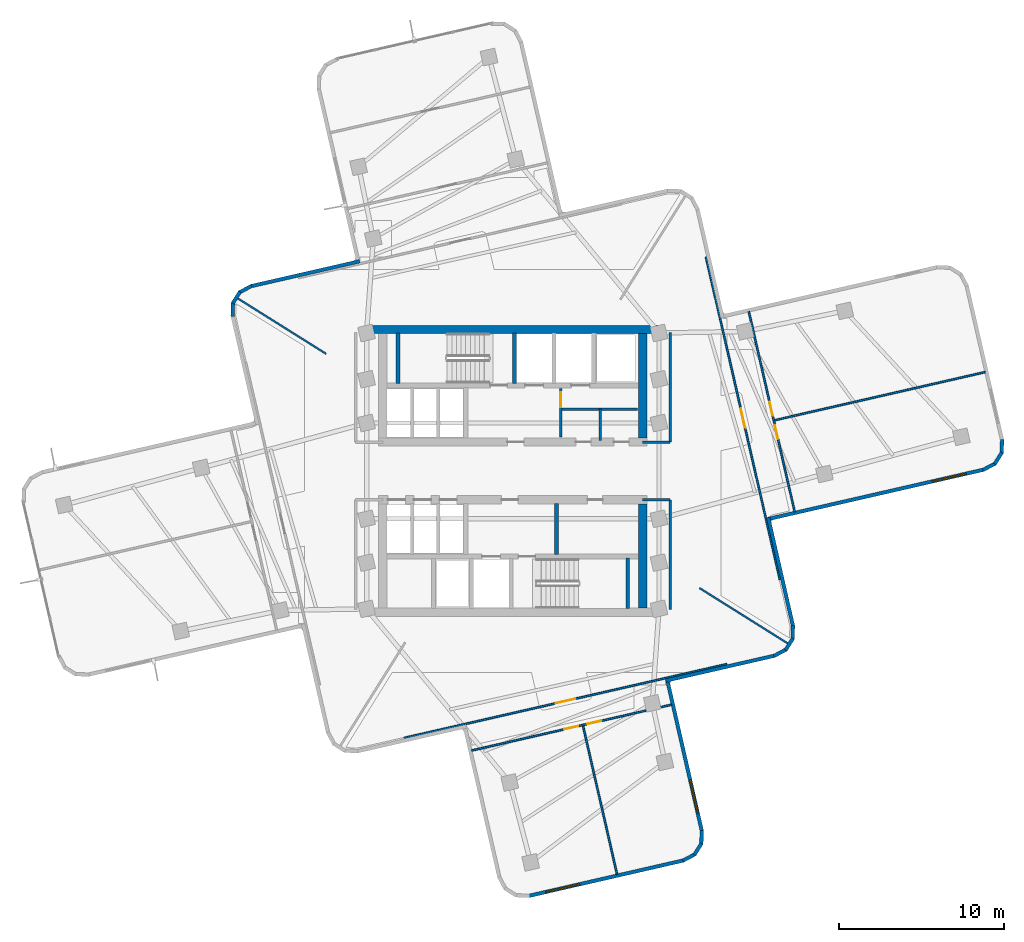
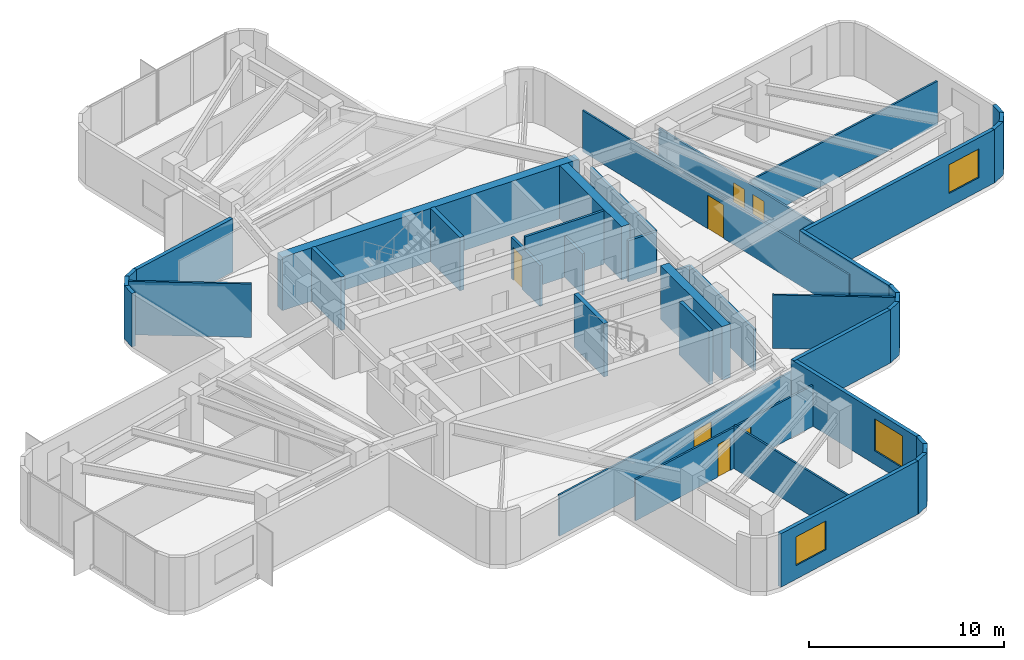
# One storey, part 7 of 11: 40 walls, 7 doors, 3 windows, 10 openings.
"""IFC4 building model written with IfcOpenShell, lengths in metres."""

from ifc_helpers import new_model, si_unit, direction, frame, frame_2d, origin, place, context, subcontext, project, spatial, rectangle, extrude, material, layer, layer_set, type_object, element, fill, save


model = new_model("IFC4")

# Units and contexts
model_context = context("Model", 3, precision=1e-05, world=origin(), true_north=direction((0.0, 1.0)))
body_context = subcontext(model_context, "Body", "Model", "MODEL_VIEW")
ifc_project = project(units=[si_unit("LENGTHUNIT", "METRE"), si_unit("AREAUNIT", "SQUARE_METRE"), si_unit("VOLUMEUNIT", "CUBIC_METRE"), si_unit("PLANEANGLEUNIT", "RADIAN"), si_unit("MASSUNIT", "GRAM", prefix="KILO")], contexts=[model_context])

# Site, building, storey
site_placement = place(None, origin())
site = spatial("IfcSite", under=ifc_project, at=site_placement, CompositionType="ELEMENT")
building_placement = place(site_placement, origin())
building = spatial("IfcBuilding", under=site, at=building_placement, Name="Solmarez Civic Tower", CompositionType="ELEMENT")
storey_placement = place(building_placement, frame((0.0, 0.0, 119.8798828125)))
storey = spatial("IfcBuildingStorey", under=building, at=storey_placement, Name="L31", CompositionType="ELEMENT", Elevation=119.8798828125)

# Walls
ifc_material_1 = material(Name="Concrete C60/75", Category="concrete")
ifc_layer_1 = layer(ifc_material_1, 0.5)
ifc_layer_set_1 = layer_set([ifc_layer_1], Name="Concrete C60/75")
wall_type_1 = type_object("IfcWallType", Name="WALL-CORE-500", PredefinedType="SHEAR", material=ifc_layer_set_1)
wall_1_placement = place(storey_placement, frame((-8.780029296875, 8.56005859375, 0.0), z_axis=(0.0, 0.0, 1.0), x_axis=(1.0, 0.0, 0.0)))
element("IfcWall", 1, at=wall_1_placement, inside=storey, type_object=wall_type_1, Name="L31 Split-Core Structural Wall NCW-N-L31", PredefinedType="SHEAR", context=body_context, shape_type="SweptSolid", body=[
    extrude(rectangle(XDim=17.56005859375, YDim=0.5, at=frame_2d((8.780029296875, 0.0))), origin(), (0.0, 0.0, 1.0), 3.340087890625),
])
for number, where, z_axis, x_axis, name in (
    (2, (7.8701171875, 8.31005859375, 0.0), (0.0, 0.0, 1.0), (0.0, -1.0, 0.0), "L31 Split-Core Structural Wall NCW-E-L31"),
    (3, (7.8701171875, -2.0, 0.0), (0.0, 0.0, 1.0), (0.0, -1.0, 0.0), "L31 Split-Core Structural Wall SCW-E-L31"),
):
    element("IfcWall", number, at=place(storey_placement, frame(where, z_axis=z_axis, x_axis=x_axis)), inside=storey, type_object=wall_type_1, Name=name, PredefinedType="SHEAR", context=body_context, shape_type="SweptSolid", body=[
        extrude(rectangle(XDim=6.31005859375, YDim=0.5, at=frame_2d((3.155029296875, 0.0))), origin(), (0.0, 0.0, 1.0), 3.340087890625),
    ])
ifc_material_2 = material(Name="Precast concrete C40/50", Category="concrete")
ifc_layer_2 = layer(ifc_material_2, 0.219970703125)
ifc_layer_set_2 = layer_set([ifc_layer_2], Name="Precast concrete C40/50")
wall_type_2 = type_object("IfcWallType", Name="WALL-EXT-220", PredefinedType="SOLIDWALL", material=ifc_layer_set_2)
wall_2_placement = place(storey_placement, frame((-16.964111328125, 9.360107421875, 0.0), z_axis=(0.0, 0.0, 1.0), x_axis=(0.035983706773, 0.999352376715, 0.0)))
element("IfcWall", 4, at=wall_2_placement, inside=storey, type_object=wall_type_2, Name="L31 Exterior Precast Wall 14", PredefinedType="SOLIDWALL", context=body_context, shape_type="SweptSolid", body=[
    extrude(rectangle(XDim=0.83447265625, YDim=0.219970703125, at=frame_2d((0.417236328125, 0.0))), origin(), (0.0, 0.0, 1.0), 3.340087890625),
])
wall_3_placement = place(storey_placement, frame((-16.947998046875, 10.14794921875, 0.0), z_axis=(0.0, 0.0, 1.0), x_axis=(0.531096868492, 0.847311109497, 0.0)))
element("IfcWall", 5, at=wall_3_placement, inside=storey, type_object=wall_type_2, Name="L31 Exterior Precast Wall 15", PredefinedType="SOLIDWALL", context=body_context, shape_type="SweptSolid", body=[
    extrude(rectangle(XDim=0.819091796875, YDim=0.219970703125, at=frame_2d((0.40966796875, 0.0))), origin(), (0.0, 0.0, 1.0), 3.340087890625),
])
wall_4_placement = place(storey_placement, frame((-16.548095703125, 10.80908203125, 0.0), z_axis=(0.0, 0.0, 1.0), x_axis=(0.883460266876, 0.468506090516, 0.0)))
element("IfcWall", 6, at=wall_4_placement, inside=storey, type_object=wall_type_2, Name="L31 Exterior Precast Wall 16", PredefinedType="SOLIDWALL", context=body_context, shape_type="SweptSolid", body=[
    extrude(rectangle(XDim=0.834228515625, YDim=0.219970703125, at=frame_2d((0.4169921875, 0.0))), origin(), (0.0, 0.0, 1.0), 3.340087890625),
])
wall_5_placement = place(storey_placement, frame((-15.85693359375, 11.181884765625, 0.0), z_axis=(0.0, 0.0, 1.0), x_axis=(0.974754598481, 0.223278912438, 0.0)))
element("IfcWall", 7, at=wall_5_placement, inside=storey, type_object=wall_type_2, Name="L31 Exterior Precast Wall 17", PredefinedType="SOLIDWALL", context=body_context, shape_type="SweptSolid", body=[
    extrude(rectangle(XDim=6.758544921875, YDim=0.219970703125, at=frame_2d((3.37939453125, 0.0))), origin(), (0.0, 0.0, 1.0), 3.340087890625),
])
wall_6_placement = place(storey_placement, frame((29.6201171875, 1.89892578125, 0.0), z_axis=(0.0, 0.0, 1.0), x_axis=(-0.037195813461, -0.999307996296, 0.0)))
element("IfcWall", 8, at=wall_6_placement, inside=storey, type_object=wall_type_2, Name="L31 Exterior Precast Wall 43", PredefinedType="SOLIDWALL", context=body_context, shape_type="SweptSolid", body=[
    extrude(rectangle(XDim=0.83349609375, YDim=0.219970703125, at=frame_2d((0.416748046875, 0.0))), origin(), (0.0, 0.0, 1.0), 3.340087890625),
])
wall_7_placement = place(storey_placement, frame((29.60302734375, 1.112060546875, 0.0), z_axis=(0.0, 0.0, 1.0), x_axis=(-0.530240177466, -0.847847482865, 0.0)))
element("IfcWall", 9, at=wall_7_placement, inside=storey, type_object=wall_type_2, Name="L31 Exterior Precast Wall 44", PredefinedType="SOLIDWALL", context=body_context, shape_type="SweptSolid", body=[
    extrude(rectangle(XDim=0.818603515625, YDim=0.219970703125, at=frame_2d((0.4091796875, 0.0))), origin(), (0.0, 0.0, 1.0), 3.340087890625),
])
wall_8_placement = place(storey_placement, frame((29.2041015625, 0.450927734375, 0.0), z_axis=(0.0, 0.0, 1.0), x_axis=(-0.883716798585, -0.468022029287, 0.0)))
element("IfcWall", 10, at=wall_8_placement, inside=storey, type_object=wall_type_2, Name="L31 Exterior Precast Wall 45", PredefinedType="SOLIDWALL", context=body_context, shape_type="SweptSolid", body=[
    extrude(rectangle(XDim=0.835205078125, YDim=0.219970703125, at=frame_2d((0.41748046875, 0.0))), origin(), (0.0, 0.0, 1.0), 3.340087890625),
])

# Wall, opening, window
wall_9_placement = place(storey_placement, frame((28.511962890625, 0.077880859375, 0.0), z_axis=(0.0, 0.0, 1.0), x_axis=(-0.974753462872, -0.223283870038, 0.0)))
wall_9 = element("IfcWall", 11, at=wall_9_placement, inside=storey, type_object=wall_type_2, Name="L31 Exterior Precast Wall 46", PredefinedType="SOLIDWALL", context=body_context, shape_type="SweptSolid", body=[
    extrude(rectangle(XDim=13.457763671875, YDim=0.219970703125, at=frame_2d((6.72900390625, 0.0))), origin(), (0.0, 0.0, 1.0), 3.340087890625),
])
opening_1_placement = place(wall_9_placement, frame((1.10009765625, 0.0, 0.85009765625)))
opening_1 = element("IfcOpeningElement", 12, at=opening_1_placement, cuts=wall_9, Name="Opening W-07", PredefinedType="OPENING", context=body_context, shape_type="SweptSolid", body=[
    extrude(rectangle(XDim=2.10009765625, YDim=1.800048828125, at=frame_2d((1.050048828125, 0.89990234375))), frame((0.0, 0.119873046875, 0.0), z_axis=(0.0, -1.0, 0.0), x_axis=(1.0, 0.0, 0.0)), (0.0, 0.0, 1.0), 0.239990234375),
])
ifc_material_3 = material(Name="Solar Control Bronze-Tinted Insulating Glass", Category="glass")
window_type_1 = type_object("IfcWindowType", Name="WIN-2100X1800", PartitioningType="SINGLE_PANEL", PredefinedType="WINDOW", material=ifc_material_3)
window_1_placement = place(opening_1_placement, origin())
window_1 = element("IfcWindow", 13, at=window_1_placement, inside=storey, type_object=window_type_1, Name="L31 Exterior Facade Window 46", OverallHeight=1.800048828125, OverallWidth=2.10009765625, PartitioningType="SINGLE_PANEL", PredefinedType="WINDOW", context=body_context, shape_type="SweptSolid", body=[
    extrude(rectangle(XDim=2.10009765625, YDim=1.800048828125, at=frame_2d((1.050048828125, 0.89990234375))), frame((0.0, 0.030029296875, 0.0), z_axis=(0.0, -1.0, 0.0), x_axis=(1.0, 0.0, 0.0)), (0.0, 0.0, 1.0), 0.06005859375),
])
fill(opening_1, window_1)

# Walls
wall_10_placement = place(storey_placement, frame((15.4599609375, -2.821044921875, 0.0), z_axis=(0.0, 0.0, 1.0), x_axis=(0.223278912438, -0.974754598481, 0.0)))
element("IfcWall", 14, at=wall_10_placement, inside=storey, type_object=wall_type_2, Name="L31 Exterior Precast Wall 49", PredefinedType="SOLIDWALL", context=body_context, shape_type="SweptSolid", body=[
    extrude(rectangle(XDim=6.758544921875, YDim=0.219970703125, at=frame_2d((3.37939453125, 0.0))), origin(), (0.0, 0.0, 1.0), 3.340087890625),
])
wall_11_placement = place(storey_placement, frame((16.964111328125, -9.360107421875, 0.0), z_axis=(0.0, 0.0, 1.0), x_axis=(-0.035983706773, -0.999352376715, 0.0)))
element("IfcWall", 15, at=wall_11_placement, inside=storey, type_object=wall_type_2, Name="L31 Exterior Precast Wall 50", PredefinedType="SOLIDWALL", context=body_context, shape_type="SweptSolid", body=[
    extrude(rectangle(XDim=0.83447265625, YDim=0.219970703125, at=frame_2d((0.417236328125, 0.0))), origin(), (0.0, 0.0, 1.0), 3.340087890625),
])
wall_12_placement = place(storey_placement, frame((16.947998046875, -10.14794921875, 0.0), z_axis=(0.0, 0.0, 1.0), x_axis=(-0.531096868492, -0.847311109497, 0.0)))
element("IfcWall", 16, at=wall_12_placement, inside=storey, type_object=wall_type_2, Name="L31 Exterior Precast Wall 51", PredefinedType="SOLIDWALL", context=body_context, shape_type="SweptSolid", body=[
    extrude(rectangle(XDim=0.819091796875, YDim=0.219970703125, at=frame_2d((0.40966796875, 0.0))), origin(), (0.0, 0.0, 1.0), 3.340087890625),
])
wall_13_placement = place(storey_placement, frame((16.548095703125, -10.80908203125, 0.0), z_axis=(0.0, 0.0, 1.0), x_axis=(-0.883460266876, -0.468506090516, 0.0)))
element("IfcWall", 17, at=wall_13_placement, inside=storey, type_object=wall_type_2, Name="L31 Exterior Precast Wall 52", PredefinedType="SOLIDWALL", context=body_context, shape_type="SweptSolid", body=[
    extrude(rectangle(XDim=0.834228515625, YDim=0.219970703125, at=frame_2d((0.4169921875, 0.0))), origin(), (0.0, 0.0, 1.0), 3.340087890625),
])
wall_14_placement = place(storey_placement, frame((15.85693359375, -11.181884765625, 0.0), z_axis=(0.0, 0.0, 1.0), x_axis=(-0.974754598481, -0.223278912438, 0.0)))
element("IfcWall", 18, at=wall_14_placement, inside=storey, type_object=wall_type_2, Name="L31 Exterior Precast Wall 53", PredefinedType="SOLIDWALL", context=body_context, shape_type="SweptSolid", body=[
    extrude(rectangle(XDim=6.758544921875, YDim=0.219970703125, at=frame_2d((3.37939453125, 0.0))), origin(), (0.0, 0.0, 1.0), 3.340087890625),
])

# Wall, opening, window
wall_15_placement = place(storey_placement, frame((9.3349609375, -12.5849609375, 0.0), z_axis=(0.0, 0.0, 1.0), x_axis=(0.223290835532, -0.974751867281, 0.0)))
wall_15 = element("IfcWall", 19, at=wall_15_placement, inside=storey, type_object=wall_type_2, Name="L31 Exterior Precast Wall 56", PredefinedType="SOLIDWALL", context=body_context, shape_type="SweptSolid", body=[
    extrude(rectangle(XDim=9.458740234375, YDim=0.219970703125, at=frame_2d((4.7294921875, 0.0))), origin(), (0.0, 0.0, 1.0), 3.340087890625),
])
opening_2_placement = place(wall_15_placement, frame((6.259033203125, 0.0, 0.85009765625)))
opening_2 = element("IfcOpeningElement", 20, at=opening_2_placement, cuts=wall_15, Name="Opening W-03", PredefinedType="OPENING", context=body_context, shape_type="SweptSolid", body=[
    extrude(rectangle(XDim=2.10009765625, YDim=2.0, at=frame_2d((1.050048828125, 1.0))), frame((0.0, 0.119873046875, 0.0), z_axis=(0.0, -1.0, 0.0), x_axis=(1.0, 0.0, 0.0)), (0.0, 0.0, 1.0), 0.239990234375),
])
window_type_2 = type_object("IfcWindowType", Name="WIN-2100X2000", PartitioningType="SINGLE_PANEL", PredefinedType="WINDOW", material=ifc_material_3)
window_2_placement = place(opening_2_placement, origin())
window_2 = element("IfcWindow", 21, at=window_2_placement, inside=storey, type_object=window_type_2, Name="L31 Exterior Facade Window 56", OverallHeight=2.0, OverallWidth=2.10009765625, PartitioningType="SINGLE_PANEL", PredefinedType="WINDOW", context=body_context, shape_type="SweptSolid", body=[
    extrude(rectangle(XDim=2.10009765625, YDim=2.0, at=frame_2d((1.050048828125, 1.0))), frame((0.0, 0.030029296875, 0.0), z_axis=(0.0, -1.0, 0.0), x_axis=(1.0, 0.0, 0.0)), (0.0, 0.0, 1.0), 0.06005859375),
])
fill(opening_2, window_2)

# Walls
wall_16_placement = place(storey_placement, frame((11.44189453125, -21.756103515625, 0.0), z_axis=(0.0, 0.0, 1.0), x_axis=(-0.035691530512, -0.999362854348, 0.0)))
element("IfcWall", 22, at=wall_16_placement, inside=storey, type_object=wall_type_2, Name="L31 Exterior Precast Wall 57", PredefinedType="SOLIDWALL", context=body_context, shape_type="SweptSolid", body=[
    extrude(rectangle(XDim=0.83447265625, YDim=0.219970703125, at=frame_2d((0.417236328125, 0.0))), origin(), (0.0, 0.0, 1.0), 3.340087890625),
])
wall_17_placement = place(storey_placement, frame((11.426025390625, -22.5439453125, 0.0), z_axis=(0.0, 0.0, 1.0), x_axis=(-0.53163377074, -0.846974340702, 0.0)))
element("IfcWall", 23, at=wall_17_placement, inside=storey, type_object=wall_type_2, Name="L31 Exterior Precast Wall 58", PredefinedType="SOLIDWALL", context=body_context, shape_type="SweptSolid", body=[
    extrude(rectangle(XDim=0.818359375, YDim=0.219970703125, at=frame_2d((0.4091796875, 0.0))), origin(), (0.0, 0.0, 1.0), 3.340087890625),
])
wall_18_placement = place(storey_placement, frame((11.02587890625, -23.2041015625, 0.0), z_axis=(0.0, 0.0, 1.0), x_axis=(-0.883396009524, -0.468627240307, 0.0)))
element("IfcWall", 24, at=wall_18_placement, inside=storey, type_object=wall_type_2, Name="L31 Exterior Precast Wall 59", PredefinedType="SOLIDWALL", context=body_context, shape_type="SweptSolid", body=[
    extrude(rectangle(XDim=0.833984375, YDim=0.219970703125, at=frame_2d((0.4169921875, 0.0))), origin(), (0.0, 0.0, 1.0), 3.340087890625),
])

# Wall, opening, window
wall_19_placement = place(storey_placement, frame((10.3349609375, -23.576904296875, 0.0), z_axis=(0.0, 0.0, 1.0), x_axis=(-0.974730937235, -0.223382183705, 0.0)))
wall_19 = element("IfcWall", 25, at=wall_19_placement, inside=storey, type_object=wall_type_2, Name="L31 Exterior Precast Wall 60", PredefinedType="SOLIDWALL", context=body_context, shape_type="SweptSolid", body=[
    extrude(rectangle(XDim=9.62109375, YDim=0.219970703125, at=frame_2d((4.810546875, 0.0))), origin(), (0.0, 0.0, 1.0), 3.340087890625),
])
opening_3_placement = place(wall_19_placement, frame((6.4541015625, 0.0, 0.85009765625)))
opening_3 = element("IfcOpeningElement", 26, at=opening_3_placement, cuts=wall_19, Name="Opening W-07", PredefinedType="OPENING", context=body_context, shape_type="SweptSolid", body=[
    extrude(rectangle(XDim=2.10009765625, YDim=1.800048828125, at=frame_2d((1.050048828125, 0.89990234375))), frame((0.0, 0.119873046875, 0.0), z_axis=(0.0, -1.0, 0.0), x_axis=(1.0, 0.0, 0.0)), (0.0, 0.0, 1.0), 0.239990234375),
])
window_3_placement = place(opening_3_placement, origin())
window_3 = element("IfcWindow", 27, at=window_3_placement, inside=storey, type_object=window_type_1, Name="L31 Exterior Facade Window 60", OverallHeight=1.800048828125, OverallWidth=2.10009765625, PartitioningType="SINGLE_PANEL", PredefinedType="WINDOW", context=body_context, shape_type="SweptSolid", body=[
    extrude(rectangle(XDim=2.10009765625, YDim=1.800048828125, at=frame_2d((1.050048828125, 0.89990234375))), frame((0.0, 0.030029296875, 0.0), z_axis=(0.0, -1.0, 0.0), x_axis=(1.0, 0.0, 0.0)), (0.0, 0.0, 1.0), 0.06005859375),
])
fill(opening_3, window_3)

# Walls
ifc_material_4 = material(Name="Gypsum Board Acoustic Steel-Stud Partition", Category="steel")
ifc_layer_3 = layer(ifc_material_4, 0.14990234375)
ifc_layer_set_3 = layer_set([ifc_layer_3], Name="Gypsum Board Acoustic Steel-Stud Partition")
wall_type_3 = type_object("IfcWallType", Name="WALL-INT-FIRE-150", PredefinedType="PARTITIONING", material=ifc_layer_set_3)
wall_20_placement = place(storey_placement, frame((9.52001953125, 1.75, 0.0), z_axis=(0.0, 0.0, 1.0), x_axis=(0.0, 1.0, 0.0)))
element("IfcWall", 28, at=wall_20_placement, inside=storey, type_object=wall_type_3, Name="L31 Interior Partition CHW-L31-EN1", PredefinedType="PARTITIONING", context=body_context, shape_type="SweptSolid", body=[
    extrude(rectangle(XDim=6.6298828125, YDim=0.14990234375, at=frame_2d((3.31494140625, 0.0))), origin(), (0.0, 0.0, 1.0), 2.570068359375),
])
wall_21_placement = place(storey_placement, frame((7.85009765625, 1.75, 0.0), z_axis=(0.0, 0.0, 1.0), x_axis=(1.0, 0.0, 0.0)))
element("IfcWall", 29, at=wall_21_placement, inside=storey, type_object=wall_type_3, Name="L31 Interior Partition CHW-L31-EN3", PredefinedType="PARTITIONING", context=body_context, shape_type="SweptSolid", body=[
    extrude(rectangle(XDim=1.669921875, YDim=0.14990234375, at=frame_2d((0.8349609375, 0.0))), origin(), (0.0, 0.0, 1.0), 2.570068359375),
])
wall_22_placement = place(storey_placement, frame((9.52001953125, -8.3798828125, 0.0), z_axis=(0.0, 0.0, 1.0), x_axis=(0.0, 1.0, 0.0)))
element("IfcWall", 30, at=wall_22_placement, inside=storey, type_object=wall_type_3, Name="L31 Interior Partition CHW-L31-ES1", PredefinedType="PARTITIONING", context=body_context, shape_type="SweptSolid", body=[
    extrude(rectangle(XDim=6.6298828125, YDim=0.14990234375, at=frame_2d((3.31494140625, 0.0))), origin(), (0.0, 0.0, 1.0), 2.570068359375),
])
wall_23_placement = place(storey_placement, frame((7.85009765625, -1.75, 0.0), z_axis=(0.0, 0.0, 1.0), x_axis=(1.0, 0.0, 0.0)))
element("IfcWall", 31, at=wall_23_placement, inside=storey, type_object=wall_type_3, Name="L31 Interior Partition CHW-L31-ES3", PredefinedType="PARTITIONING", context=body_context, shape_type="SweptSolid", body=[
    extrude(rectangle(XDim=1.669921875, YDim=0.14990234375, at=frame_2d((0.8349609375, 0.0))), origin(), (0.0, 0.0, 1.0), 2.570068359375),
])
ifc_layer_4 = layer(ifc_material_4, 0.110107421875)
ifc_layer_set_4 = layer_set([ifc_layer_4], Name="Gypsum Board Acoustic Steel-Stud Partition")
wall_type_4 = type_object("IfcWallType", Name="WALL-INT-PART-110", PredefinedType="PARTITIONING", material=ifc_layer_set_4)
for number, where, z_axis, x_axis, name in (
    (32, (-11.300048828125, 7.089111328125, 0.0), (0.0, 0.0, 1.0), (-0.847172398776, 0.531318103167, 0.0), "L31 Interior Partition PT-L31-QDIV-2"),
    (33, (11.300048828125, -7.089111328125, 0.0), (0.0, 0.0, 1.0), (0.847172398776, -0.531318103167, 0.0), "L31 Interior Partition PT-L31-QDIV-4"),
):
    element("IfcWall", number, at=place(storey_placement, frame(where, z_axis=z_axis, x_axis=x_axis)), inside=storey, type_object=wall_type_4, Name=name, PredefinedType="PARTITIONING", context=body_context, shape_type="SweptSolid", body=[
        extrude(rectangle(XDim=6.335205078125, YDim=0.110107421875, at=frame_2d((3.16748046875, 0.0))), origin(), (0.0, 0.0, 1.0), 3.340087890625),
    ])

# Wall, opening, door
wall_24_placement = place(storey_placement, frame((11.69189453125, 12.95703125, 0.0), z_axis=(0.0, 0.0, 1.0), x_axis=(0.223262093598, -0.97475845088, 0.0)))
wall_24 = element("IfcWall", 34, at=wall_24_placement, inside=storey, type_object=wall_type_4, Name="L31 Interior Partition PT-L31-E-ENT", PredefinedType="PARTITIONING", context=body_context, shape_type="SweptSolid", body=[
    extrude(rectangle(XDim=20.039794921875, YDim=0.110107421875, at=frame_2d((10.02001953125, 0.0))), origin(), (0.0, 0.0, 1.0), 2.570068359375),
])
opening_4_placement = place(wall_24_placement, frame((9.419921875, 0.0, 0.0)))
opening_4 = element("IfcOpeningElement", 35, at=opening_4_placement, cuts=wall_24, Name="Opening D-11", PredefinedType="OPENING", context=body_context, shape_type="SweptSolid", body=[
    extrude(rectangle(XDim=1.199951171875, YDim=2.10009765625, at=frame_2d((0.60009765625, 1.050048828125))), frame((0.0, 0.06494140625, 0.0), z_axis=(0.0, -1.0, 0.0), x_axis=(1.0, 0.0, 0.0)), (0.0, 0.0, 1.0), 0.130126953125),
])
ifc_material_5 = material(Name="Glazed-Vision Acoustic Chamber Door", Category="wood")
door_type_1 = type_object("IfcDoorType", Name="DOOR-INT-1200", OperationType="NOTDEFINED", PredefinedType="DOOR", material=ifc_material_5)
door_1_placement = place(opening_4_placement, origin())
door_1 = element("IfcDoor", 36, at=door_1_placement, inside=storey, type_object=door_type_1, Name="L31 Maritime Registry Municipal Co-Working Office First East Door", OperationType="SINGLE_SWING_LEFT", OverallHeight=2.10009765625, OverallWidth=1.199951171875, PredefinedType="DOOR", context=body_context, shape_type="SweptSolid", body=[
    extrude(rectangle(XDim=1.199951171875, YDim=2.10009765625, at=frame_2d((0.60009765625, 1.050048828125))), frame((0.0, 0.02490234375, 0.0), z_axis=(0.0, -1.0, 0.0), x_axis=(1.0, 0.0, 0.0)), (0.0, 0.0, 1.0), 0.050048828125),
])
fill(opening_4, door_1)

# Wall
wall_25_placement = place(storey_placement, frame((15.85498046875, 3.06689453125, 0.0), z_axis=(0.0, 0.0, 1.0), x_axis=(0.974758398925, 0.223262320434, 0.0)))
element("IfcWall", 37, at=wall_25_placement, inside=storey, type_object=wall_type_4, Name="L31 Interior Partition PT-L31-E-TSP", PredefinedType="PARTITIONING", context=body_context, shape_type="SweptSolid", body=[
    extrude(rectangle(XDim=13.0751953125, YDim=0.110107421875, at=frame_2d((6.53759765625, 0.0))), origin(), (0.0, 0.0, 1.0), 2.72021484375),
])

# Wall, openings, doors
wall_26_placement = place(storey_placement, frame((17.06201171875, -2.468017578125, 0.0), z_axis=(0.0, 0.0, 1.0), x_axis=(-0.223341555051, 0.974740247341, 0.0)))
wall_26 = element("IfcWall", 38, at=wall_26_placement, inside=storey, type_object=wall_type_4, Name="L31 Interior Partition PT-L31-E-SCUT", PredefinedType="PARTITIONING", context=body_context, shape_type="SweptSolid", body=[
    extrude(rectangle(XDim=12.429931640625, YDim=0.110107421875, at=frame_2d((6.21484375, 0.0))), origin(), (0.0, 0.0, 1.0), 2.570068359375),
])
opening_5_placement = place(wall_26_placement, frame((4.514892578125, 0.0, 0.0)))
opening_5 = element("IfcOpeningElement", 39, at=opening_5_placement, cuts=wall_26, Name="Opening D-14", PredefinedType="OPENING", context=body_context, shape_type="SweptSolid", body=[
    extrude(rectangle(XDim=0.860107421875, YDim=2.0400390625, at=frame_2d((0.43017578125, 1.02001953125))), frame((0.0, 0.06494140625, 0.0), z_axis=(0.0, -1.0, 0.0), x_axis=(1.0, 0.0, 0.0)), (0.0, 0.0, 1.0), 0.130126953125),
])
opening_6_placement = place(wall_26_placement, frame((5.955078125, 0.0, 0.0)))
opening_6 = element("IfcOpeningElement", 40, at=opening_6_placement, cuts=wall_26, Name="Opening D-14", PredefinedType="OPENING", context=body_context, shape_type="SweptSolid", body=[
    extrude(rectangle(XDim=0.860107421875, YDim=2.0400390625, at=frame_2d((0.43017578125, 1.02001953125))), frame((0.0, 0.06494140625, 0.0), z_axis=(0.0, -1.0, 0.0), x_axis=(1.0, 0.0, 0.0)), (0.0, 0.0, 1.0), 0.130126953125),
])
ifc_material_6 = material(Name="Timber Storage and Pantry Door", Category="wood")
door_type_2 = type_object("IfcDoorType", Name="DOOR-INT-850", OperationType="NOTDEFINED", PredefinedType="DOOR", material=ifc_material_6)
door_2_placement = place(opening_5_placement, origin())
door_2 = element("IfcDoor", 41, at=door_2_placement, inside=storey, type_object=door_type_2, Name="L31 Public Law Reading Room Third East Door", OperationType="SINGLE_SWING_RIGHT", OverallHeight=2.0400390625, OverallWidth=0.860107421875, PredefinedType="DOOR", context=body_context, shape_type="SweptSolid", body=[
    extrude(rectangle(XDim=0.860107421875, YDim=2.0400390625, at=frame_2d((0.43017578125, 1.02001953125))), frame((0.0, 0.02490234375, 0.0), z_axis=(0.0, -1.0, 0.0), x_axis=(1.0, 0.0, 0.0)), (0.0, 0.0, 1.0), 0.050048828125),
])
fill(opening_5, door_2)
door_3_placement = place(opening_6_placement, origin())
door_3 = element("IfcDoor", 42, at=door_3_placement, inside=storey, type_object=door_type_2, Name="L31 Civic Seminar Classroom Second East Door", OperationType="SINGLE_SWING_LEFT", OverallHeight=2.0400390625, OverallWidth=0.860107421875, PredefinedType="DOOR", context=body_context, shape_type="SweptSolid", body=[
    extrude(rectangle(XDim=0.860107421875, YDim=2.0400390625, at=frame_2d((0.43017578125, 1.02001953125))), frame((0.0, 0.02490234375, 0.0), z_axis=(0.0, -1.0, 0.0), x_axis=(1.0, 0.0, 0.0)), (0.0, 0.0, 1.0), 0.050048828125),
])
fill(opening_6, door_3)

# Wall, opening, door
wall_27_placement = place(storey_placement, frame((12.95703125, -11.69189453125, 0.0), z_axis=(0.0, 0.0, 1.0), x_axis=(-0.97475845088, -0.223262093598, 0.0)))
wall_27 = element("IfcWall", 43, at=wall_27_placement, inside=storey, type_object=wall_type_4, Name="L31 Interior Partition PT-L31-S-ENT", PredefinedType="PARTITIONING", context=body_context, shape_type="SweptSolid", body=[
    extrude(rectangle(XDim=20.039794921875, YDim=0.110107421875, at=frame_2d((10.02001953125, 0.0))), origin(), (0.0, 0.0, 1.0), 2.570068359375),
])
opening_7_placement = place(wall_27_placement, frame((9.419921875, 0.0, 0.0)))
opening_7 = element("IfcOpeningElement", 44, at=opening_7_placement, cuts=wall_27, Name="Opening D-11", PredefinedType="OPENING", context=body_context, shape_type="SweptSolid", body=[
    extrude(rectangle(XDim=1.199951171875, YDim=2.10009765625, at=frame_2d((0.60009765625, 1.050048828125))), frame((0.0, 0.06494140625, 0.0), z_axis=(0.0, -1.0, 0.0), x_axis=(1.0, 0.0, 0.0)), (0.0, 0.0, 1.0), 0.130126953125),
])
door_4_placement = place(opening_7_placement, origin())
door_4 = element("IfcDoor", 45, at=door_4_placement, inside=storey, type_object=door_type_1, Name="L31 Security Control Room First South Door", OperationType="SINGLE_SWING_LEFT", OverallHeight=2.10009765625, OverallWidth=1.199951171875, PredefinedType="DOOR", context=body_context, shape_type="SweptSolid", body=[
    extrude(rectangle(XDim=1.199951171875, YDim=2.10009765625, at=frame_2d((0.60009765625, 1.050048828125))), frame((0.0, 0.02490234375, 0.0), z_axis=(0.0, -1.0, 0.0), x_axis=(1.0, 0.0, 0.0)), (0.0, 0.0, 1.0), 0.050048828125),
])
fill(opening_7, door_4)

# Wall
wall_28_placement = place(storey_placement, frame((4.25390625, -15.43994140625, 0.0), z_axis=(0.0, 0.0, 1.0), x_axis=(0.223344166789, -0.974739648912, 0.0)))
element("IfcWall", 46, at=wall_28_placement, inside=storey, type_object=wall_type_4, Name="L31 Interior Partition PT-L31-S-TM3", PredefinedType="PARTITIONING", context=body_context, shape_type="SweptSolid", body=[
    extrude(rectangle(XDim=9.21484375, YDim=0.110107421875, at=frame_2d((4.607421875, 0.0))), origin(), (0.0, 0.0, 1.0), 2.72021484375),
])

# Wall, openings, doors
wall_29_placement = place(storey_placement, frame((-2.4990234375, -16.926025390625, 0.0), z_axis=(0.0, 0.0, 1.0), x_axis=(0.974740247341, 0.223341555051, 0.0)))
wall_29 = element("IfcWall", 47, at=wall_29_placement, inside=storey, type_object=wall_type_4, Name="L31 Interior Partition PT-L31-S-SCUT", PredefinedType="PARTITIONING", context=body_context, shape_type="SweptSolid", body=[
    extrude(rectangle(XDim=12.429931640625, YDim=0.110107421875, at=frame_2d((6.21484375, 0.0))), origin(), (0.0, 0.0, 1.0), 2.570068359375),
])
opening_8_placement = place(wall_29_placement, frame((5.764892578125, 0.0, 0.0)))
opening_8 = element("IfcOpeningElement", 48, at=opening_8_placement, cuts=wall_29, Name="Opening D-14", PredefinedType="OPENING", context=body_context, shape_type="SweptSolid", body=[
    extrude(rectangle(XDim=0.860107421875, YDim=2.0400390625, at=frame_2d((0.43017578125, 1.02001953125))), frame((0.0, 0.06494140625, 0.0), z_axis=(0.0, -1.0, 0.0), x_axis=(1.0, 0.0, 0.0)), (0.0, 0.0, 1.0), 0.130126953125),
])
opening_9_placement = place(wall_29_placement, frame((7.205078125, 0.0, 0.0)))
opening_9 = element("IfcOpeningElement", 49, at=opening_9_placement, cuts=wall_29, Name="Opening D-14", PredefinedType="OPENING", context=body_context, shape_type="SweptSolid", body=[
    extrude(rectangle(XDim=0.860107421875, YDim=2.0400390625, at=frame_2d((0.43017578125, 1.02001953125))), frame((0.0, 0.06494140625, 0.0), z_axis=(0.0, -1.0, 0.0), x_axis=(1.0, 0.0, 0.0)), (0.0, 0.0, 1.0), 0.130126953125),
])
door_5_placement = place(opening_8_placement, origin())
door_5 = element("IfcDoor", 50, at=door_5_placement, inside=storey, type_object=door_type_2, Name="L31 Public Law Reading Room Third South Door", OperationType="SINGLE_SWING_RIGHT", OverallHeight=2.0400390625, OverallWidth=0.860107421875, PredefinedType="DOOR", context=body_context, shape_type="SweptSolid", body=[
    extrude(rectangle(XDim=0.860107421875, YDim=2.0400390625, at=frame_2d((0.43017578125, 1.02001953125))), frame((0.0, 0.02490234375, 0.0), z_axis=(0.0, -1.0, 0.0), x_axis=(1.0, 0.0, 0.0)), (0.0, 0.0, 1.0), 0.050048828125),
])
fill(opening_8, door_5)
door_6_placement = place(opening_9_placement, origin())
door_6 = element("IfcDoor", 51, at=door_6_placement, inside=storey, type_object=door_type_2, Name="L31 Civic Seminar Classroom Second South Door", OperationType="SINGLE_SWING_LEFT", OverallHeight=2.0400390625, OverallWidth=0.860107421875, PredefinedType="DOOR", context=body_context, shape_type="SweptSolid", body=[
    extrude(rectangle(XDim=0.860107421875, YDim=2.0400390625, at=frame_2d((0.43017578125, 1.02001953125))), frame((0.0, 0.02490234375, 0.0), z_axis=(0.0, -1.0, 0.0), x_axis=(1.0, 0.0, 0.0)), (0.0, 0.0, 1.0), 0.050048828125),
])
fill(opening_9, door_6)

# Wall, opening, door
ifc_layer_5 = layer(ifc_material_4, 0.159912109375)
ifc_layer_set_5 = layer_set([ifc_layer_5], Name="Gypsum Board Acoustic Steel-Stud Partition")
wall_type_5 = type_object("IfcWallType", Name="WALL-INT-SHAFT-160", PredefinedType="PARTITIONING", material=ifc_layer_set_5)
wall_30_placement = place(storey_placement, frame((2.89990234375, 2.0400390625, 0.0), z_axis=(0.0, 0.0, 1.0), x_axis=(0.0, 1.0, 0.0)))
wall_30 = element("IfcWall", 52, at=wall_30_placement, inside=storey, type_object=wall_type_5, Name="L31 Interior Partition SHW-NL2-L31", PredefinedType="PARTITIONING", context=body_context, shape_type="SweptSolid", body=[
    extrude(rectangle(XDim=2.93994140625, YDim=0.159912109375, at=frame_2d((1.469970703125, 0.0))), origin(), (0.0, 0.0, 1.0), 2.570068359375),
])
opening_10_placement = place(wall_30_placement, frame((1.820068359375, 0.0, 0.0)))
opening_10 = element("IfcOpeningElement", 53, at=opening_10_placement, cuts=wall_30, Name="Opening D-09", PredefinedType="OPENING", context=body_context, shape_type="SweptSolid", body=[
    extrude(rectangle(XDim=0.89990234375, YDim=2.06005859375, at=frame_2d((0.449951171875, 1.030029296875))), frame((0.0, 0.08984375, 0.0), z_axis=(0.0, -1.0, 0.0), x_axis=(1.0, 0.0, 0.0)), (0.0, 0.0, 1.0), 0.179931640625),
])
ifc_material_7 = material(Name="Fire-Rated Service Core Door", Category="wood")
door_type_3 = type_object("IfcDoorType", Name="DOOR-FD60-900", OperationType="NOTDEFINED", PredefinedType="DOOR", material=ifc_material_7)
door_7_placement = place(opening_10_placement, origin())
door_7 = element("IfcDoor", 54, at=door_7_placement, inside=storey, type_object=door_type_3, Name="L31 Service Lift Lobby Door", OperationType="SINGLE_SWING_LEFT", OverallHeight=2.06005859375, OverallWidth=0.89990234375, PredefinedType="DOOR", context=body_context, shape_type="SweptSolid", body=[
    extrude(rectangle(XDim=0.89990234375, YDim=2.06005859375, at=frame_2d((0.449951171875, 1.030029296875))), frame((0.0, 0.02490234375, 0.0), z_axis=(0.0, -1.0, 0.0), x_axis=(1.0, 0.0, 0.0)), (0.0, 0.0, 1.0), 0.050048828125),
])
fill(opening_10, door_7)

# Walls
ifc_layer_6 = layer(ifc_material_4, 0.137939453125)
ifc_layer_set_6 = layer_set([ifc_layer_6], Name="Gypsum Board Acoustic Steel-Stud Partition")
wall_type_6 = type_object("IfcWallType", Name="WALL-INT-WET-140", PredefinedType="PARTITIONING", material=ifc_layer_set_6)
wall_31_placement = place(storey_placement, frame((2.89990234375, 3.739990234375, 0.0), z_axis=(0.0, 0.0, 1.0), x_axis=(1.0, 0.0, 0.0)))
element("IfcWall", 55, at=wall_31_placement, inside=storey, type_object=wall_type_6, Name="L31 Interior Partition SHW-SVH-L31", PredefinedType="PARTITIONING", context=body_context, shape_type="SweptSolid", body=[
    extrude(rectangle(XDim=4.650146484375, YDim=0.137939453125, at=frame_2d((2.3251953125, 0.0))), origin(), (0.0, 0.0, 1.0), 3.340087890625),
])
wall_32_placement = place(storey_placement, frame((5.300048828125, 1.85009765625, 0.0), z_axis=(0.0, 0.0, 1.0), x_axis=(0.0, 1.0, 0.0)))
element("IfcWall", 56, at=wall_32_placement, inside=storey, type_object=wall_type_6, Name="L31 Interior Partition PT-NCSV-L31", PredefinedType="PARTITIONING", context=body_context, shape_type="SweptSolid", body=[
    extrude(rectangle(XDim=1.889892578125, YDim=0.137939453125, at=frame_2d((0.94482421875, 0.0))), origin(), (0.0, 0.0, 1.0), 2.570068359375),
])
ifc_material_8 = material(Name="Concrete C50/60", Category="concrete")
ifc_layer_7 = layer(ifc_material_8, 0.300048828125)
ifc_layer_set_7 = layer_set([ifc_layer_7], Name="Concrete C50/60")
wall_type_7 = type_object("IfcWallType", Name="WALL-STR-300", PredefinedType="SOLIDWALL", material=ifc_layer_set_7)
for number, where, z_axis, x_axis, name in (
    (57, (-6.949951171875, 5.280029296875, 0.0), (0.0, 0.0, 1.0), (0.0, 1.0, 0.0), "L31 Split-Core Structural Wall SHW-NW-L31"),
    (58, (6.949951171875, -8.340087890625, 0.0), (0.0, 0.0, 1.0), (0.0, 1.0, 0.0), "L31 Split-Core Structural Wall SHW-SE-L31"),
):
    element("IfcWall", number, at=place(storey_placement, frame(where, z_axis=z_axis, x_axis=x_axis)), inside=storey, type_object=wall_type_7, Name=name, PredefinedType="SOLIDWALL", context=body_context, shape_type="SweptSolid", body=[
        extrude(rectangle(XDim=3.06005859375, YDim=0.219970703125, at=frame_2d((1.530029296875, 0.0))), origin(), (0.0, 0.0, 1.0), 3.340087890625),
    ])
wall_33_placement = place(storey_placement, frame((0.10009765625, 5.300048828125, 0.0), z_axis=(0.0, 0.0, 1.0), x_axis=(0.0, 1.0, 0.0)))
element("IfcWall", 59, at=wall_33_placement, inside=storey, type_object=wall_type_7, Name="L31 Split-Core Structural Wall SHW-N1-L31", PredefinedType="SOLIDWALL", context=body_context, shape_type="SweptSolid", body=[
    extrude(rectangle(XDim=3.0400390625, YDim=0.25, at=frame_2d((1.52001953125, 0.0))), origin(), (0.0, 0.0, 1.0), 3.340087890625),
])
wall_34_placement = place(storey_placement, frame((2.64990234375, -5.050048828125, 0.0), z_axis=(0.0, 0.0, 1.0), x_axis=(0.0, 1.0, 0.0)))
element("IfcWall", 60, at=wall_34_placement, inside=storey, type_object=wall_type_7, Name="L31 Split-Core Structural Wall SHW-SL2-L31", PredefinedType="SOLIDWALL", context=body_context, shape_type="SweptSolid", body=[
    extrude(rectangle(XDim=3.070068359375, YDim=0.25, at=frame_2d((1.53515625, 0.0))), origin(), (0.0, 0.0, 1.0), 3.340087890625),
])

save(model, "model.ifc")
